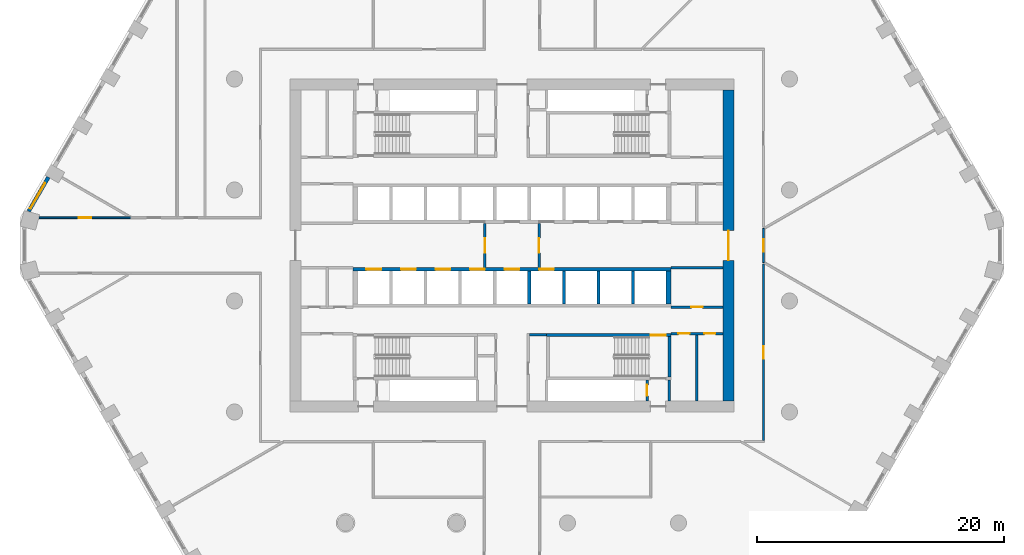
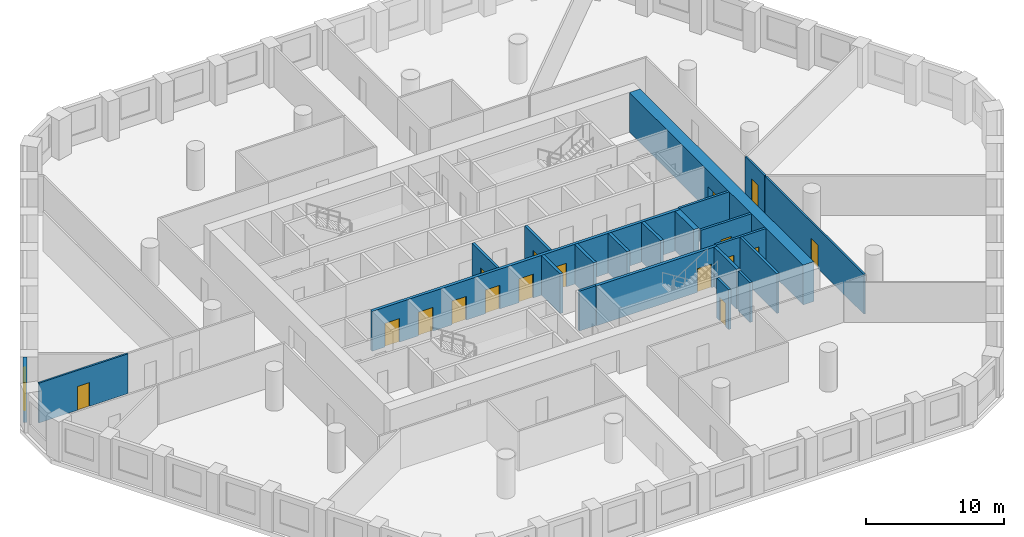
# One storey, part 4 of 14: 22 walls, 17 doors, 1 window, 18 openings.
"""IFC4 building model written with IfcOpenShell, lengths in metres."""

from ifc_helpers import new_model, si_unit, direction, frame, frame_2d, origin, place, context, subcontext, project, spatial, polyline, rectangle, outline, extrude, material, layer, layer_set, type_object, element, fill, save


model = new_model("IFC4")

# Units and contexts
model_context = context("Model", 3, precision=1e-05, world=origin(), true_north=direction((0.0, 1.0)))
body_context = subcontext(model_context, "Body", "Model", "MODEL_VIEW")
ifc_project = project(units=[si_unit("LENGTHUNIT", "METRE"), si_unit("AREAUNIT", "SQUARE_METRE"), si_unit("VOLUMEUNIT", "CUBIC_METRE"), si_unit("PLANEANGLEUNIT", "RADIAN"), si_unit("MASSUNIT", "GRAM", prefix="KILO")], contexts=[model_context])

# Site, building, storey
site_placement = place(None, origin())
site = spatial("IfcSite", under=ifc_project, at=site_placement, CompositionType="ELEMENT")
building_placement = place(site_placement, origin())
building = spatial("IfcBuilding", under=site, at=building_placement, Name="Dhurran Vertical Campus", CompositionType="ELEMENT")
storey_placement = place(building_placement, frame((0.0, 0.0, 93.0)))
storey = spatial("IfcBuildingStorey", under=building, at=storey_placement, Name="L22", CompositionType="ELEMENT", Elevation=93.0)

# Wall, opening, window
ifc_material_1 = material(Name="Precast concrete C50/60", Category="concrete")
ifc_layer_1 = layer(ifc_material_1, 0.300048828125)
ifc_layer_set_1 = layer_set([ifc_layer_1], Name="Precast concrete C50/60")
wall_type_1 = type_object("IfcWallType", Name="Precast spandrel wall 300", PredefinedType="SOLIDWALL", material=ifc_layer_set_1)
wall_1_placement = place(storey_placement, frame((-37.59423828125, 5.538818359375, 0.0), z_axis=(0.0, 0.0, 1.0), x_axis=(-0.500004907028, -0.866022570692, 0.0)))
wall_1 = element("IfcWall", 1, at=wall_1_placement, inside=storey, type_object=wall_type_1, Name="EW1 L22.42", PredefinedType="SOLIDWALL", context=body_context, shape_type="SweptSolid", body=[
    extrude(rectangle(XDim=3.1923828125, YDim=0.300048828125, at=frame_2d((1.59619140625, 0.0))), origin(), (0.0, 0.0, 1.0), 3.52490234375),
])
opening_1_placement = place(wall_1_placement, frame((0.549560546875, 0.0, 0.89990234375)))
opening_1 = element("IfcOpeningElement", 2, at=opening_1_placement, cuts=wall_1, Name="Opening WT1", PredefinedType="OPENING", context=body_context, shape_type="SweptSolid", body=[
    extrude(rectangle(XDim=2.39990234375, YDim=2.10009765625, at=frame_2d((1.199951171875, 1.050048828125))), frame((0.0, 0.159912109375, 0.0), z_axis=(0.0, -1.0, 0.0), x_axis=(1.0, 0.0, 0.0)), (0.0, 0.0, 1.0), 0.320068359375),
])
ifc_material_2 = material(Name="Aluminium frame with solar-control glass", Category="aluminium")
window_type = type_object("IfcWindowType", Name="Punched window 2400 x 2100", PartitioningType="SINGLE_PANEL", PredefinedType="WINDOW", material=ifc_material_2)
window_placement = place(opening_1_placement, origin())
window = element("IfcWindow", 3, at=window_placement, inside=storey, type_object=window_type, Name="WT1 L22.42", OverallHeight=2.10009765625, OverallWidth=2.39990234375, PartitioningType="SINGLE_PANEL", PredefinedType="WINDOW", context=body_context, shape_type="SweptSolid", body=[
    extrude(rectangle(XDim=2.39990234375, YDim=2.10009765625, at=frame_2d((1.199951171875, 1.050048828125))), frame((0.0, 0.030029296875, 0.0), z_axis=(0.0, -1.0, 0.0), x_axis=(1.0, 0.0, 0.0)), (0.0, 0.0, 1.0), 0.06005859375),
])
fill(opening_1, window)

# Wall, opening, door
ifc_material_3 = material(Name="Concrete C60/75", Category="concrete")
ifc_layer_2 = layer(ifc_material_3, 0.89990234375)
ifc_layer_set_2 = layer_set([ifc_layer_2], Name="Concrete C60/75")
wall_type_2 = type_object("IfcWallType", Name="co-CORE-WALL-C0-900", PredefinedType="SHEAR", material=ifc_layer_set_2)
wall_2_placement = place(storey_placement, frame((17.550048828125, -12.60009765625, 0.0), z_axis=(0.0, 0.0, 1.0), x_axis=(0.0, 1.0, 0.0)))
wall_2 = element("IfcWall", 4, at=wall_2_placement, inside=storey, type_object=wall_type_2, Name="Core wall E L22", PredefinedType="SHEAR", context=body_context, shape_type="SweptSolid", body=[
    extrude(rectangle(XDim=25.2001953125, YDim=0.89990234375, at=frame_2d((12.60009765625, 0.0))), origin(), (0.0, 0.0, 1.0), 3.52490234375),
])
opening_2_placement = place(wall_2_placement, frame((11.39990234375, 0.0, 0.0)))
opening_2 = element("IfcOpeningElement", 5, at=opening_2_placement, cuts=wall_2, Name="Opening CL2", PredefinedType="OPENING", context=body_context, shape_type="SweptSolid", body=[
    extrude(rectangle(XDim=2.39990234375, YDim=2.10009765625, at=frame_2d((1.199951171875, 1.050048828125))), frame((0.0, 0.4599609375, 0.0), z_axis=(0.0, -1.0, 0.0), x_axis=(1.0, 0.0, 0.0)), (0.0, 0.0, 1.0), 0.919921875),
])
ifc_material_4 = material(Name="Fire-rated glazed door set")
door_type_1 = type_object("IfcDoorType", Name="co-D-LOBBY 2400x2100", OperationType="DOUBLE_DOOR_DOUBLE_SWING", PredefinedType="DOOR", material=ifc_material_4)
door_1_placement = place(opening_2_placement, origin())
door_1 = element("IfcDoor", 6, at=door_1_placement, inside=storey, type_object=door_type_1, Name="Lift lobby door E L22", OperationType="DOUBLE_DOOR_DOUBLE_SWING", OverallHeight=2.10009765625, OverallWidth=2.39990234375, PredefinedType="DOOR", context=body_context, shape_type="SweptSolid", body=[
    extrude(rectangle(XDim=2.39990234375, YDim=2.10009765625, at=frame_2d((1.199951171875, 1.050048828125))), frame((0.0, 0.02490234375, 0.0), z_axis=(0.0, -1.0, 0.0), x_axis=(1.0, 0.0, 0.0)), (0.0, 0.0, 1.0), 0.050048828125),
])
fill(opening_2, door_1)

ifc_material_5 = material(Name="Fire-rated masonry blockwork", Category="masonry")
ifc_layer_3 = layer(ifc_material_5, 0.199951171875)
ifc_layer_set_3 = layer_set([ifc_layer_3], Name="Fire-rated masonry blockwork")
wall_type_3 = type_object("IfcWallType", Name="co-FIRE-PARTITION-200", PredefinedType="PARTITIONING", material=ifc_layer_set_3)
wall_3_placement = place(storey_placement, frame((-2.199951171875, -1.800048828125, 0.0), z_axis=(0.0, 0.0, 1.0), x_axis=(0.0, 1.0, 0.0)))
wall_3 = element("IfcWall", 7, at=wall_3_placement, inside=storey, type_object=wall_type_3, Name="Firefighting lobby wall W L22", PredefinedType="PARTITIONING", context=body_context, shape_type="SweptSolid", body=[
    extrude(rectangle(XDim=3.60009765625, YDim=0.199951171875, at=frame_2d((1.800048828125, 0.0))), origin(), (0.0, 0.0, 1.0), 3.52490234375),
])
opening_3_placement = place(wall_3_placement, frame((1.199951171875, 0.0, 0.0)))
opening_3 = element("IfcOpeningElement", 8, at=opening_3_placement, cuts=wall_3, Name="Opening FL1", PredefinedType="OPENING", context=body_context, shape_type="SweptSolid", body=[
    extrude(rectangle(XDim=1.199951171875, YDim=2.10009765625, at=frame_2d((0.60009765625, 1.050048828125))), frame((0.0, 0.10986328125, 0.0), z_axis=(0.0, -1.0, 0.0), x_axis=(1.0, 0.0, 0.0)), (0.0, 0.0, 1.0), 0.219970703125),
])
ifc_material_6 = material(Name="Fire-rated steel door set", Category="steel")
door_type_2 = type_object("IfcDoorType", Name="co-D-FFLOBBY 1200x2100", OperationType="SINGLE_SWING_LEFT", PredefinedType="DOOR", material=ifc_material_6)
door_2_placement = place(opening_3_placement, origin())
door_2 = element("IfcDoor", 9, at=door_2_placement, inside=storey, type_object=door_type_2, Name="Firefighting lobby door W L22", OperationType="SINGLE_SWING_LEFT", OverallHeight=2.10009765625, OverallWidth=1.199951171875, PredefinedType="DOOR", context=body_context, shape_type="SweptSolid", body=[
    extrude(rectangle(XDim=1.199951171875, YDim=2.10009765625, at=frame_2d((0.60009765625, 1.050048828125))), frame((0.0, 0.02490234375, 0.0), z_axis=(0.0, -1.0, 0.0), x_axis=(1.0, 0.0, 0.0)), (0.0, 0.0, 1.0), 0.050048828125),
])
fill(opening_3, door_2)

wall_4_placement = place(storey_placement, frame((2.199951171875, -1.800048828125, 0.0), z_axis=(0.0, 0.0, 1.0), x_axis=(0.0, 1.0, 0.0)))
wall_4 = element("IfcWall", 10, at=wall_4_placement, inside=storey, type_object=wall_type_3, Name="Firefighting lobby wall E L22", PredefinedType="PARTITIONING", context=body_context, shape_type="SweptSolid", body=[
    extrude(rectangle(XDim=3.60009765625, YDim=0.199951171875, at=frame_2d((1.800048828125, 0.0))), origin(), (0.0, 0.0, 1.0), 3.52490234375),
])
opening_4_placement = place(wall_4_placement, frame((1.199951171875, 0.0, 0.0)))
opening_4 = element("IfcOpeningElement", 11, at=opening_4_placement, cuts=wall_4, Name="Opening FL2", PredefinedType="OPENING", context=body_context, shape_type="SweptSolid", body=[
    extrude(rectangle(XDim=1.199951171875, YDim=2.10009765625, at=frame_2d((0.60009765625, 1.050048828125))), frame((0.0, 0.10986328125, 0.0), z_axis=(0.0, -1.0, 0.0), x_axis=(1.0, 0.0, 0.0)), (0.0, 0.0, 1.0), 0.219970703125),
])
door_3_placement = place(opening_4_placement, origin())
door_3 = element("IfcDoor", 12, at=door_3_placement, inside=storey, type_object=door_type_2, Name="Firefighting lobby door E L22", OperationType="SINGLE_SWING_LEFT", OverallHeight=2.10009765625, OverallWidth=1.199951171875, PredefinedType="DOOR", context=body_context, shape_type="SweptSolid", body=[
    extrude(rectangle(XDim=1.199951171875, YDim=2.10009765625, at=frame_2d((0.60009765625, 1.050048828125))), frame((0.0, 0.02490234375, 0.0), z_axis=(0.0, -1.0, 0.0), x_axis=(1.0, 0.0, 0.0)), (0.0, 0.0, 1.0), 0.050048828125),
])
fill(opening_4, door_3)

# Walls
wall_5_placement = place(storey_placement, frame((1.39990234375, -7.25, 0.0), z_axis=(0.0, 0.0, 1.0), x_axis=(1.0, 0.0, 0.0)))
element("IfcWall", 13, at=wall_5_placement, inside=storey, type_object=wall_type_3, Name="Core partition sl-SE-S L22", PredefinedType="PARTITIONING", context=body_context, shape_type="SweptSolid", body=[
    extrude(rectangle(XDim=1.400146484375, YDim=0.199951171875, at=frame_2d((0.7001953125, 0.0))), origin(), (0.0, 0.0, 1.0), 3.52490234375),
])
wall_6_placement = place(storey_placement, frame((12.75, -12.60009765625, 0.0), z_axis=(0.0, 0.0, 1.0), x_axis=(0.0, 1.0, 0.0)))
element("IfcWall", 14, at=wall_6_placement, inside=storey, type_object=wall_type_3, Name="Core partition pass-ST4-o L22", PredefinedType="PARTITIONING", context=body_context, shape_type="SweptSolid", body=[
    extrude(rectangle(XDim=1.7001953125, YDim=0.199951171875, at=frame_2d((0.85009765625, 0.0))), origin(), (0.0, 0.0, 1.0), 3.52490234375),
])

# Wall, opening, door
wall_7_placement = place(storey_placement, frame((10.949951171875, -12.60009765625, 0.0), z_axis=(0.0, 0.0, 1.0), x_axis=(0.0, 1.0, 0.0)))
wall_7 = element("IfcWall", 15, at=wall_7_placement, inside=storey, type_object=wall_type_3, Name="Core partition pass-ST4-i L22", PredefinedType="PARTITIONING", context=body_context, shape_type="SweptSolid", body=[
    extrude(rectangle(XDim=1.7001953125, YDim=0.199951171875, at=frame_2d((0.85009765625, 0.0))), origin(), (0.0, 0.0, 1.0), 3.52490234375),
])
opening_5_placement = place(wall_7_placement, frame((0.39990234375, 0.0, 0.0)))
opening_5 = element("IfcOpeningElement", 16, at=opening_5_placement, cuts=wall_7, Name="Opening T06-C11", PredefinedType="OPENING", context=body_context, shape_type="SweptSolid", body=[
    extrude(rectangle(XDim=0.89990234375, YDim=2.10009765625, at=frame_2d((0.449951171875, 1.050048828125))), frame((0.0, 0.10986328125, 0.0), z_axis=(0.0, -1.0, 0.0), x_axis=(1.0, 0.0, 0.0)), (0.0, 0.0, 1.0), 0.219970703125),
])
ifc_material_7 = material(Name="Fire-rated timber door set", Category="wood")
door_type_3 = type_object("IfcDoorType", Name="co-D-ROOM 900x2100", OperationType="SINGLE_SWING_LEFT", PredefinedType="DOOR", material=ifc_material_7)
door_4_placement = place(opening_5_placement, origin())
door_4 = element("IfcDoor", 17, at=door_4_placement, inside=storey, type_object=door_type_3, Name="Riser room door L22", OperationType="SINGLE_SWING_LEFT", OverallHeight=2.10009765625, OverallWidth=0.89990234375, PredefinedType="DOOR", context=body_context, shape_type="SweptSolid", body=[
    extrude(rectangle(XDim=0.89990234375, YDim=2.10009765625, at=frame_2d((0.449951171875, 1.050048828125))), frame((0.0, 0.02490234375, 0.0), z_axis=(0.0, -1.0, 0.0), x_axis=(1.0, 0.0, 0.0)), (0.0, 0.0, 1.0), 0.050048828125),
])
fill(opening_5, door_4)

# Wall
wall_8_placement = place(storey_placement, frame((15.0, -12.60009765625, 0.0), z_axis=(0.0, 0.0, 1.0), x_axis=(0.0, 1.0, 0.0)))
element("IfcWall", 18, at=wall_8_placement, inside=storey, type_object=wall_type_3, Name="Core partition en-SE-cut0 L22", PredefinedType="PARTITIONING", context=body_context, shape_type="SweptSolid", body=[
    extrude(rectangle(XDim=5.4501953125, YDim=0.199951171875, at=frame_2d((2.72509765625, 0.0))), origin(), (0.0, 0.0, 1.0), 3.52490234375),
])

# Wall, openings, doors
wall_9_placement = place(storey_placement, frame((12.89990234375, -7.14990234375, 0.0), z_axis=(0.0, 0.0, 1.0), x_axis=(1.0, 0.0, 0.0)))
wall_9 = element("IfcWall", 19, at=wall_9_placement, inside=storey, type_object=wall_type_3, Name="Core partition en-SE-w L22", PredefinedType="PARTITIONING", context=body_context, shape_type="SweptSolid", body=[
    extrude(rectangle(XDim=4.2001953125, YDim=0.199951171875, at=frame_2d((2.10009765625, 0.0))), origin(), (0.0, 0.0, 1.0), 3.52490234375),
])
opening_6_placement = place(wall_9_placement, frame((0.60009765625, 0.0, 0.0)))
opening_6 = element("IfcOpeningElement", 20, at=opening_6_placement, cuts=wall_9, Name="Opening T06-C21", PredefinedType="OPENING", context=body_context, shape_type="SweptSolid", body=[
    extrude(rectangle(XDim=0.89990234375, YDim=2.10009765625, at=frame_2d((0.449951171875, 1.050048828125))), frame((0.0, 0.10986328125, 0.0), z_axis=(0.0, -1.0, 0.0), x_axis=(1.0, 0.0, 0.0)), (0.0, 0.0, 1.0), 0.219970703125),
])
opening_7_placement = place(wall_9_placement, frame((2.699951171875, 0.0, 0.0)))
opening_7 = element("IfcOpeningElement", 21, at=opening_7_placement, cuts=wall_9, Name="Opening T06-C22", PredefinedType="OPENING", context=body_context, shape_type="SweptSolid", body=[
    extrude(rectangle(XDim=0.89990234375, YDim=2.10009765625, at=frame_2d((0.449951171875, 1.050048828125))), frame((0.0, 0.10986328125, 0.0), z_axis=(0.0, -1.0, 0.0), x_axis=(1.0, 0.0, 0.0)), (0.0, 0.0, 1.0), 0.219970703125),
])
door_5_placement = place(opening_6_placement, origin())
door_5 = element("IfcDoor", 22, at=door_5_placement, inside=storey, type_object=door_type_3, Name="Cleaner's store door L22", OperationType="SINGLE_SWING_LEFT", OverallHeight=2.10009765625, OverallWidth=0.89990234375, PredefinedType="DOOR", context=body_context, shape_type="SweptSolid", body=[
    extrude(rectangle(XDim=0.89990234375, YDim=2.10009765625, at=frame_2d((0.449951171875, 1.050048828125))), frame((0.0, 0.02490234375, 0.0), z_axis=(0.0, -1.0, 0.0), x_axis=(1.0, 0.0, 0.0)), (0.0, 0.0, 1.0), 0.050048828125),
])
fill(opening_6, door_5)
door_6_placement = place(opening_7_placement, origin())
door_6 = element("IfcDoor", 23, at=door_6_placement, inside=storey, type_object=door_type_3, Name="Cleaner's store door L22", OperationType="SINGLE_SWING_LEFT", OverallHeight=2.10009765625, OverallWidth=0.89990234375, PredefinedType="DOOR", context=body_context, shape_type="SweptSolid", body=[
    extrude(rectangle(XDim=0.89990234375, YDim=2.10009765625, at=frame_2d((0.449951171875, 1.050048828125))), frame((0.0, 0.02490234375, 0.0), z_axis=(0.0, -1.0, 0.0), x_axis=(1.0, 0.0, 0.0)), (0.0, 0.0, 1.0), 0.050048828125),
])
fill(opening_7, door_6)

# Wall, opening, door
wall_10_placement = place(storey_placement, frame((12.89990234375, -5.0, 0.0), z_axis=(0.0, 0.0, 1.0), x_axis=(1.0, 0.0, 0.0)))
wall_10 = element("IfcWall", 24, at=wall_10_placement, inside=storey, type_object=wall_type_3, Name="Core partition es-SE-w L22", PredefinedType="PARTITIONING", context=body_context, shape_type="SweptSolid", body=[
    extrude(rectangle(XDim=4.2001953125, YDim=0.199951171875, at=frame_2d((2.10009765625, 0.0))), origin(), (0.0, 0.0, 1.0), 3.52490234375),
])
opening_8_placement = place(wall_10_placement, frame((1.64990234375, 0.0, 0.0)))
opening_8 = element("IfcOpeningElement", 25, at=opening_8_placement, cuts=wall_10, Name="Opening T06-C23", PredefinedType="OPENING", context=body_context, shape_type="SweptSolid", body=[
    extrude(rectangle(XDim=0.89990234375, YDim=2.10009765625, at=frame_2d((0.449951171875, 1.050048828125))), frame((0.0, 0.10986328125, 0.0), z_axis=(0.0, -1.0, 0.0), x_axis=(1.0, 0.0, 0.0)), (0.0, 0.0, 1.0), 0.219970703125),
])
door_7_placement = place(opening_8_placement, origin())
door_7 = element("IfcDoor", 26, at=door_7_placement, inside=storey, type_object=door_type_3, Name="Plant room door L22", OperationType="SINGLE_SWING_LEFT", OverallHeight=2.10009765625, OverallWidth=0.89990234375, PredefinedType="DOOR", context=body_context, shape_type="SweptSolid", body=[
    extrude(rectangle(XDim=0.89990234375, YDim=2.10009765625, at=frame_2d((0.449951171875, 1.050048828125))), frame((0.0, 0.02490234375, 0.0), z_axis=(0.0, -1.0, 0.0), x_axis=(1.0, 0.0, 0.0)), (0.0, 0.0, 1.0), 0.050048828125),
])
fill(opening_8, door_7)

# Wall
wall_11_placement = place(storey_placement, frame((12.89990234375, -1.800048828125, 0.0), z_axis=(0.0, 0.0, 1.0), x_axis=(1.0, 0.0, 0.0)))
element("IfcWall", 27, at=wall_11_placement, inside=storey, type_object=wall_type_3, Name="Core partition es-SE-l L22", PredefinedType="PARTITIONING", context=body_context, shape_type="SweptSolid", body=[
    extrude(rectangle(XDim=4.2001953125, YDim=0.199951171875, at=frame_2d((2.10009765625, 0.0))), origin(), (0.0, 0.0, 1.0), 3.52490234375),
])

# Wall, openings, doors
ifc_material_8 = material(Name="Concrete C50/60", Category="concrete")
ifc_layer_4 = layer(ifc_material_8, 0.25)
ifc_layer_set_4 = layer_set([ifc_layer_4], Name="Concrete C50/60")
wall_type_4 = type_object("IfcWallType", Name="co-SHAFT-FRONT-250", PredefinedType="SHEAR", material=ifc_layer_set_4)
wall_12_placement = place(storey_placement, frame((-12.89990234375, -1.925048828125, 0.0), z_axis=(0.0, 0.0, 1.0), x_axis=(1.0, 0.0, 0.0)))
wall_12 = element("IfcWall", 28, at=wall_12_placement, inside=storey, type_object=wall_type_4, Name="Lift landing wall S L22", PredefinedType="SHEAR", context=body_context, shape_type="SweptSolid", body=[
    extrude(rectangle(XDim=25.7998046875, YDim=0.25, at=frame_2d((12.89990234375, 0.0))), origin(), (0.0, 0.0, 1.0), 3.52490234375),
])
opening_9_placement = place(wall_12_placement, frame((1.10009765625, 0.0, 0.0)))
opening_9 = element("IfcOpeningElement", 29, at=opening_9_placement, cuts=wall_12, Name="Opening LD", PredefinedType="OPENING", context=body_context, shape_type="SweptSolid", body=[
    extrude(rectangle(XDim=1.199951171875, YDim=2.10009765625, at=frame_2d((0.60009765625, 1.050048828125))), frame((0.0, 0.135009765625, 0.0), z_axis=(0.0, -1.0, 0.0), x_axis=(1.0, 0.0, 0.0)), (0.0, 0.0, 1.0), 0.27001953125),
])
opening_10_placement = place(wall_12_placement, frame((3.89990234375, 0.0, 0.0)))
opening_10 = element("IfcOpeningElement", 30, at=opening_10_placement, cuts=wall_12, Name="Opening LD", PredefinedType="OPENING", context=body_context, shape_type="SweptSolid", body=[
    extrude(rectangle(XDim=1.199951171875, YDim=2.10009765625, at=frame_2d((0.60009765625, 1.050048828125))), frame((0.0, 0.135009765625, 0.0), z_axis=(0.0, -1.0, 0.0), x_axis=(1.0, 0.0, 0.0)), (0.0, 0.0, 1.0), 0.27001953125),
])
opening_11_placement = place(wall_12_placement, frame((6.699951171875, 0.0, 0.0)))
opening_11 = element("IfcOpeningElement", 31, at=opening_11_placement, cuts=wall_12, Name="Opening LD", PredefinedType="OPENING", context=body_context, shape_type="SweptSolid", body=[
    extrude(rectangle(XDim=1.199951171875, YDim=2.10009765625, at=frame_2d((0.60009765625, 1.050048828125))), frame((0.0, 0.135009765625, 0.0), z_axis=(0.0, -1.0, 0.0), x_axis=(1.0, 0.0, 0.0)), (0.0, 0.0, 1.0), 0.27001953125),
])
opening_12_placement = place(wall_12_placement, frame((9.5, 0.0, 0.0)))
opening_12 = element("IfcOpeningElement", 32, at=opening_12_placement, cuts=wall_12, Name="Opening LD", PredefinedType="OPENING", context=body_context, shape_type="SweptSolid", body=[
    extrude(rectangle(XDim=1.199951171875, YDim=2.10009765625, at=frame_2d((0.60009765625, 1.050048828125))), frame((0.0, 0.135009765625, 0.0), z_axis=(0.0, -1.0, 0.0), x_axis=(1.0, 0.0, 0.0)), (0.0, 0.0, 1.0), 0.27001953125),
])
opening_13_placement = place(wall_12_placement, frame((12.300048828125, 0.0, 0.0)))
opening_13 = element("IfcOpeningElement", 33, at=opening_13_placement, cuts=wall_12, Name="Opening LD", PredefinedType="OPENING", context=body_context, shape_type="SweptSolid", body=[
    extrude(rectangle(XDim=1.199951171875, YDim=2.10009765625, at=frame_2d((0.60009765625, 1.050048828125))), frame((0.0, 0.135009765625, 0.0), z_axis=(0.0, -1.0, 0.0), x_axis=(1.0, 0.0, 0.0)), (0.0, 0.0, 1.0), 0.27001953125),
])
opening_14_placement = place(wall_12_placement, frame((15.10009765625, 0.0, 0.0)))
opening_14 = element("IfcOpeningElement", 34, at=opening_14_placement, cuts=wall_12, Name="Opening LD", PredefinedType="OPENING", context=body_context, shape_type="SweptSolid", body=[
    extrude(rectangle(XDim=1.199951171875, YDim=2.10009765625, at=frame_2d((0.60009765625, 1.050048828125))), frame((0.0, 0.135009765625, 0.0), z_axis=(0.0, -1.0, 0.0), x_axis=(1.0, 0.0, 0.0)), (0.0, 0.0, 1.0), 0.27001953125),
])
ifc_material_9 = material(Name="Stainless steel landing door", Category="steel")
door_type_4 = type_object("IfcDoorType", Name="co-D-LANDING 1200x2100", OperationType="DOUBLE_DOOR_SLIDING", PredefinedType="DOOR", material=ifc_material_9)
door_8_placement = place(opening_9_placement, origin())
door_8 = element("IfcDoor", 35, at=door_8_placement, inside=storey, type_object=door_type_4, Name="Landing door LR5 L22", OperationType="DOUBLE_DOOR_SLIDING", OverallHeight=2.10009765625, OverallWidth=1.199951171875, PredefinedType="DOOR", context=body_context, shape_type="SweptSolid", body=[
    extrude(rectangle(XDim=1.199951171875, YDim=2.10009765625, at=frame_2d((0.60009765625, 1.050048828125))), frame((0.0, 0.02490234375, 0.0), z_axis=(0.0, -1.0, 0.0), x_axis=(1.0, 0.0, 0.0)), (0.0, 0.0, 1.0), 0.050048828125),
])
fill(opening_9, door_8)
door_9_placement = place(opening_10_placement, origin())
door_9 = element("IfcDoor", 36, at=door_9_placement, inside=storey, type_object=door_type_4, Name="Landing door LR6 L22", OperationType="DOUBLE_DOOR_SLIDING", OverallHeight=2.10009765625, OverallWidth=1.199951171875, PredefinedType="DOOR", context=body_context, shape_type="SweptSolid", body=[
    extrude(rectangle(XDim=1.199951171875, YDim=2.10009765625, at=frame_2d((0.60009765625, 1.050048828125))), frame((0.0, 0.02490234375, 0.0), z_axis=(0.0, -1.0, 0.0), x_axis=(1.0, 0.0, 0.0)), (0.0, 0.0, 1.0), 0.050048828125),
])
fill(opening_10, door_9)
door_10_placement = place(opening_11_placement, origin())
door_10 = element("IfcDoor", 37, at=door_10_placement, inside=storey, type_object=door_type_4, Name="Landing door LR7 L22", OperationType="DOUBLE_DOOR_SLIDING", OverallHeight=2.10009765625, OverallWidth=1.199951171875, PredefinedType="DOOR", context=body_context, shape_type="SweptSolid", body=[
    extrude(rectangle(XDim=1.199951171875, YDim=2.10009765625, at=frame_2d((0.60009765625, 1.050048828125))), frame((0.0, 0.02490234375, 0.0), z_axis=(0.0, -1.0, 0.0), x_axis=(1.0, 0.0, 0.0)), (0.0, 0.0, 1.0), 0.050048828125),
])
fill(opening_11, door_10)
door_11_placement = place(opening_12_placement, origin())
door_11 = element("IfcDoor", 38, at=door_11_placement, inside=storey, type_object=door_type_4, Name="Landing door LR8 L22", OperationType="DOUBLE_DOOR_SLIDING", OverallHeight=2.10009765625, OverallWidth=1.199951171875, PredefinedType="DOOR", context=body_context, shape_type="SweptSolid", body=[
    extrude(rectangle(XDim=1.199951171875, YDim=2.10009765625, at=frame_2d((0.60009765625, 1.050048828125))), frame((0.0, 0.02490234375, 0.0), z_axis=(0.0, -1.0, 0.0), x_axis=(1.0, 0.0, 0.0)), (0.0, 0.0, 1.0), 0.050048828125),
])
fill(opening_12, door_11)
door_12_placement = place(opening_13_placement, origin())
door_12 = element("IfcDoor", 39, at=door_12_placement, inside=storey, type_object=door_type_4, Name="Landing door FF2 L22", OperationType="DOUBLE_DOOR_SLIDING", OverallHeight=2.10009765625, OverallWidth=1.199951171875, PredefinedType="DOOR", context=body_context, shape_type="SweptSolid", body=[
    extrude(rectangle(XDim=1.199951171875, YDim=2.10009765625, at=frame_2d((0.60009765625, 1.050048828125))), frame((0.0, 0.02490234375, 0.0), z_axis=(0.0, -1.0, 0.0), x_axis=(1.0, 0.0, 0.0)), (0.0, 0.0, 1.0), 0.050048828125),
])
fill(opening_13, door_12)
door_13_placement = place(opening_14_placement, origin())
door_13 = element("IfcDoor", 40, at=door_13_placement, inside=storey, type_object=door_type_4, Name="Landing door SV1 L22", OperationType="DOUBLE_DOOR_SLIDING", OverallHeight=2.10009765625, OverallWidth=1.199951171875, PredefinedType="DOOR", context=body_context, shape_type="SweptSolid", body=[
    extrude(rectangle(XDim=1.199951171875, YDim=2.10009765625, at=frame_2d((0.60009765625, 1.050048828125))), frame((0.0, 0.02490234375, 0.0), z_axis=(0.0, -1.0, 0.0), x_axis=(1.0, 0.0, 0.0)), (0.0, 0.0, 1.0), 0.050048828125),
])
fill(opening_14, door_13)

# Walls
ifc_material_10 = material(Name="Concrete C50/60", Category="concrete")
ifc_layer_5 = layer(ifc_material_10, 0.25)
ifc_layer_set_5 = layer_set([ifc_layer_5], Name="Concrete C50/60")
wall_type_5 = type_object("IfcWallType", Name="co-SHAFT-MASS-250", PredefinedType="SHEAR", material=ifc_layer_set_5)
wall_13_placement = place(storey_placement, origin())
element("IfcWall", 41, at=wall_13_placement, inside=storey, type_object=wall_type_5, Name="Lift shaft wall S L22 7", PredefinedType="SHEAR", context=body_context, shape_type="SweptSolid", body=[
    extrude(outline(polyline([(1.27490234375, -4.75), (1.52490234375, -4.75), (1.52490234375, -2.050048828125), (1.27490234375, -2.050048828125), (1.27490234375, -4.75)])), origin(), (0.0, 0.0, 1.0), 3.52490234375),
])
wall_14_placement = place(storey_placement, origin())
element("IfcWall", 42, at=wall_14_placement, inside=storey, type_object=wall_type_5, Name="Lift shaft wall S L22 8", PredefinedType="SHEAR", context=body_context, shape_type="SweptSolid", body=[
    extrude(outline(polyline([(4.074951171875, -4.75), (4.324951171875, -4.75), (4.324951171875, -2.050048828125), (4.074951171875, -2.050048828125), (4.074951171875, -4.75)])), origin(), (0.0, 0.0, 1.0), 3.52490234375),
])
wall_15_placement = place(storey_placement, origin())
element("IfcWall", 43, at=wall_15_placement, inside=storey, type_object=wall_type_5, Name="Lift shaft wall S L22 9", PredefinedType="SHEAR", context=body_context, shape_type="SweptSolid", body=[
    extrude(outline(polyline([(6.875, -4.75), (7.125, -4.75), (7.125, -2.050048828125), (6.875, -2.050048828125), (6.875, -4.75)])), origin(), (0.0, 0.0, 1.0), 3.52490234375),
])
wall_16_placement = place(storey_placement, origin())
element("IfcWall", 44, at=wall_16_placement, inside=storey, type_object=wall_type_5, Name="Lift shaft wall S L22 10", PredefinedType="SHEAR", context=body_context, shape_type="SweptSolid", body=[
    extrude(outline(polyline([(9.675048828125, -4.75), (9.925048828125, -4.75), (9.925048828125, -2.050048828125), (9.675048828125, -2.050048828125), (9.675048828125, -4.75)])), origin(), (0.0, 0.0, 1.0), 3.52490234375),
])
wall_17_placement = place(storey_placement, origin())
element("IfcWall", 45, at=wall_17_placement, inside=storey, type_object=wall_type_5, Name="Lift shaft wall S L22 11", PredefinedType="SHEAR", context=body_context, shape_type="SweptSolid", body=[
    extrude(outline(polyline([(12.47509765625, -4.75), (12.89990234375, -4.75), (12.89990234375, -2.050048828125), (12.47509765625, -2.050048828125), (12.47509765625, -4.75)])), origin(), (0.0, 0.0, 1.0), 3.52490234375),
])

# Wall, opening, door
ifc_material_11 = material(Name="Concrete C40/50", Category="concrete")
ifc_layer_6 = layer(ifc_material_11, 0.25)
ifc_layer_set_6 = layer_set([ifc_layer_6], Name="Concrete C40/50")
wall_type_6 = type_object("IfcWallType", Name="co-STAIR-WALL-250", PredefinedType="SHEAR", material=ifc_layer_set_6)
wall_18_placement = place(storey_placement, frame((2.800048828125, -7.27490234375, 0.0), z_axis=(0.0, 0.0, 1.0), x_axis=(1.0, 0.0, 0.0)))
wall_18 = element("IfcWall", 46, at=wall_18_placement, inside=storey, type_object=wall_type_6, Name="Stair ST4 enclosure wall L22", PredefinedType="SHEAR", context=body_context, shape_type="SweptSolid", body=[
    extrude(rectangle(XDim=10.099853515625, YDim=0.25, at=frame_2d((5.0498046875, 0.0))), origin(), (0.0, 0.0, 1.0), 3.52490234375),
])
opening_15_placement = place(wall_18_placement, frame((8.449951171875, 0.0, 0.0)))
opening_15 = element("IfcOpeningElement", 47, at=opening_15_placement, cuts=wall_18, Name="Opening SD4", PredefinedType="OPENING", context=body_context, shape_type="SweptSolid", body=[
    extrude(rectangle(XDim=1.199951171875, YDim=2.10009765625, at=frame_2d((0.60009765625, 1.050048828125))), frame((0.0, 0.135009765625, 0.0), z_axis=(0.0, -1.0, 0.0), x_axis=(1.0, 0.0, 0.0)), (0.0, 0.0, 1.0), 0.27001953125),
])
ifc_material_12 = material(Name="Fire-rated steel door set", Category="steel")
door_type_5 = type_object("IfcDoorType", Name="co-D-STAIR 1200x2100", OperationType="SINGLE_SWING_LEFT", PredefinedType="DOOR", material=ifc_material_12)
door_14_placement = place(opening_15_placement, origin())
door_14 = element("IfcDoor", 48, at=door_14_placement, inside=storey, type_object=door_type_5, Name="Stair ST4 door L22", OperationType="SINGLE_SWING_LEFT", OverallHeight=2.10009765625, OverallWidth=1.199951171875, PredefinedType="DOOR", context=body_context, shape_type="SweptSolid", body=[
    extrude(rectangle(XDim=1.199951171875, YDim=2.10009765625, at=frame_2d((0.60009765625, 1.050048828125))), frame((0.0, 0.02490234375, 0.0), z_axis=(0.0, -1.0, 0.0), x_axis=(1.0, 0.0, 0.0)), (0.0, 0.0, 1.0), 0.050048828125),
])
fill(opening_15, door_14)

# Wall
wall_19_placement = place(storey_placement, frame((12.77490234375, -10.64990234375, 0.0), z_axis=(0.0, 0.0, 1.0), x_axis=(0.0, 1.0, 0.0)))
element("IfcWall", 49, at=wall_19_placement, inside=storey, type_object=wall_type_6, Name="Stair ST4 enclosure wall L22", PredefinedType="SHEAR", context=body_context, shape_type="SweptSolid", body=[
    extrude(rectangle(XDim=3.25, YDim=0.25, at=frame_2d((1.625, 0.0))), origin(), (0.0, 0.0, 1.0), 3.52490234375),
])

# Wall, opening, door
ifc_material_13 = material(Name="Gypsum board corridor wall on steel studs", Category="steel")
ifc_layer_7 = layer(ifc_material_13, 0.14990234375)
ifc_layer_set_7 = layer_set([ifc_layer_7], Name="Gypsum board corridor wall on steel studs")
wall_type_7 = type_object("IfcWallType", Name="fl-CW-150 corridor wall", PredefinedType="PARTITIONING", material=ifc_layer_set_7)
wall_20_placement = place(storey_placement, frame((-38.35009765625, 2.25, 0.0), z_axis=(0.0, 0.0, 1.0), x_axis=(1.0, 0.0, 0.0)))
wall_20 = element("IfcWall", 50, at=wall_20_placement, inside=storey, type_object=wall_type_7, Name="Partition 22-02", PredefinedType="PARTITIONING", context=body_context, shape_type="SweptSolid", body=[
    extrude(rectangle(XDim=7.453125, YDim=0.14990234375, at=frame_2d((3.7265625, 0.0))), origin(), (0.0, 0.0, 1.0), 3.52490234375),
])
opening_16_placement = place(wall_20_placement, frame((3.2265625, 0.0, 0.0)))
opening_16 = element("IfcOpeningElement", 51, at=opening_16_placement, cuts=wall_20, Name="Opening T06.02", PredefinedType="OPENING", context=body_context, shape_type="SweptSolid", body=[
    extrude(rectangle(XDim=1.0, YDim=2.10009765625, at=frame_2d((0.5, 1.050048828125))), frame((0.0, 0.0849609375, 0.0), z_axis=(0.0, -1.0, 0.0), x_axis=(1.0, 0.0, 0.0)), (0.0, 0.0, 1.0), 0.169921875),
])
ifc_material_14 = material(Name="Solid-core timber door set, fire-rated", Category="wood")
door_type_6 = type_object("IfcDoorType", Name="fl-D-1000x2100", OperationType="SINGLE_SWING_LEFT", PredefinedType="DOOR", material=ifc_material_14)
door_15_placement = place(opening_16_placement, origin())
door_15 = element("IfcDoor", 52, at=door_15_placement, inside=storey, type_object=door_type_6, Name="Door 22.02", OperationType="SINGLE_SWING_LEFT", OverallHeight=2.10009765625, OverallWidth=1.0, PredefinedType="DOOR", context=body_context, shape_type="SweptSolid", body=[
    extrude(rectangle(XDim=1.0, YDim=2.10009765625, at=frame_2d((0.5, 1.050048828125))), frame((0.0, 0.02490234375, 0.0), z_axis=(0.0, -1.0, 0.0), x_axis=(1.0, 0.0, 0.0)), (0.0, 0.0, 1.0), 0.050048828125),
])
fill(opening_16, door_15)

wall_21_placement = place(storey_placement, frame((20.39990234375, -15.824951171875, 0.0), z_axis=(0.0, 0.0, 1.0), x_axis=(0.0, 1.0, 0.0)))
wall_21 = element("IfcWall", 53, at=wall_21_placement, inside=storey, type_object=wall_type_7, Name="Partition 22-44", PredefinedType="PARTITIONING", context=body_context, shape_type="SweptSolid", body=[
    extrude(rectangle(XDim=14.308837890625, YDim=0.14990234375, at=frame_2d((7.154296875, 0.0))), origin(), (0.0, 0.0, 1.0), 3.52490234375),
])
opening_17_placement = place(wall_21_placement, frame((6.654541015625, 0.0, 0.0)))
opening_17 = element("IfcOpeningElement", 54, at=opening_17_placement, cuts=wall_21, Name="Opening T06.15", PredefinedType="OPENING", context=body_context, shape_type="SweptSolid", body=[
    extrude(rectangle(XDim=1.0, YDim=2.10009765625, at=frame_2d((0.5, 1.050048828125))), frame((0.0, 0.0849609375, 0.0), z_axis=(0.0, -1.0, 0.0), x_axis=(1.0, 0.0, 0.0)), (0.0, 0.0, 1.0), 0.169921875),
])
door_16_placement = place(opening_17_placement, origin())
door_16 = element("IfcDoor", 55, at=door_16_placement, inside=storey, type_object=door_type_6, Name="Door 22.15", OperationType="SINGLE_SWING_LEFT", OverallHeight=2.10009765625, OverallWidth=1.0, PredefinedType="DOOR", context=body_context, shape_type="SweptSolid", body=[
    extrude(rectangle(XDim=1.0, YDim=2.10009765625, at=frame_2d((0.5, 1.050048828125))), frame((0.0, 0.02490234375, 0.0), z_axis=(0.0, -1.0, 0.0), x_axis=(1.0, 0.0, 0.0)), (0.0, 0.0, 1.0), 0.050048828125),
])
fill(opening_17, door_16)

wall_22_placement = place(storey_placement, frame((20.39990234375, -1.385986328125, 0.0), z_axis=(0.0, 0.0, 1.0), x_axis=(0.0, 1.0, 0.0)))
wall_22 = element("IfcWall", 56, at=wall_22_placement, inside=storey, type_object=wall_type_7, Name="Partition 22-45", PredefinedType="PARTITIONING", context=body_context, shape_type="SweptSolid", body=[
    extrude(rectangle(XDim=2.77197265625, YDim=0.14990234375, at=frame_2d((1.385986328125, 0.0))), origin(), (0.0, 0.0, 1.0), 3.52490234375),
])
opening_18_placement = place(wall_22_placement, frame((0.885986328125, 0.0, 0.0)))
opening_18 = element("IfcOpeningElement", 57, at=opening_18_placement, cuts=wall_22, Name="Opening T06.16", PredefinedType="OPENING", context=body_context, shape_type="SweptSolid", body=[
    extrude(rectangle(XDim=1.0, YDim=2.10009765625, at=frame_2d((0.5, 1.050048828125))), frame((0.0, 0.0849609375, 0.0), z_axis=(0.0, -1.0, 0.0), x_axis=(1.0, 0.0, 0.0)), (0.0, 0.0, 1.0), 0.169921875),
])
door_17_placement = place(opening_18_placement, origin())
door_17 = element("IfcDoor", 58, at=door_17_placement, inside=storey, type_object=door_type_6, Name="Door 22.16", OperationType="SINGLE_SWING_RIGHT", OverallHeight=2.10009765625, OverallWidth=1.0, PredefinedType="DOOR", context=body_context, shape_type="SweptSolid", body=[
    extrude(rectangle(XDim=1.0, YDim=2.10009765625, at=frame_2d((0.5, 1.050048828125))), frame((0.0, 0.02490234375, 0.0), z_axis=(0.0, -1.0, 0.0), x_axis=(1.0, 0.0, 0.0)), (0.0, 0.0, 1.0), 0.050048828125),
])
fill(opening_18, door_17)

save(model, "model.ifc")
